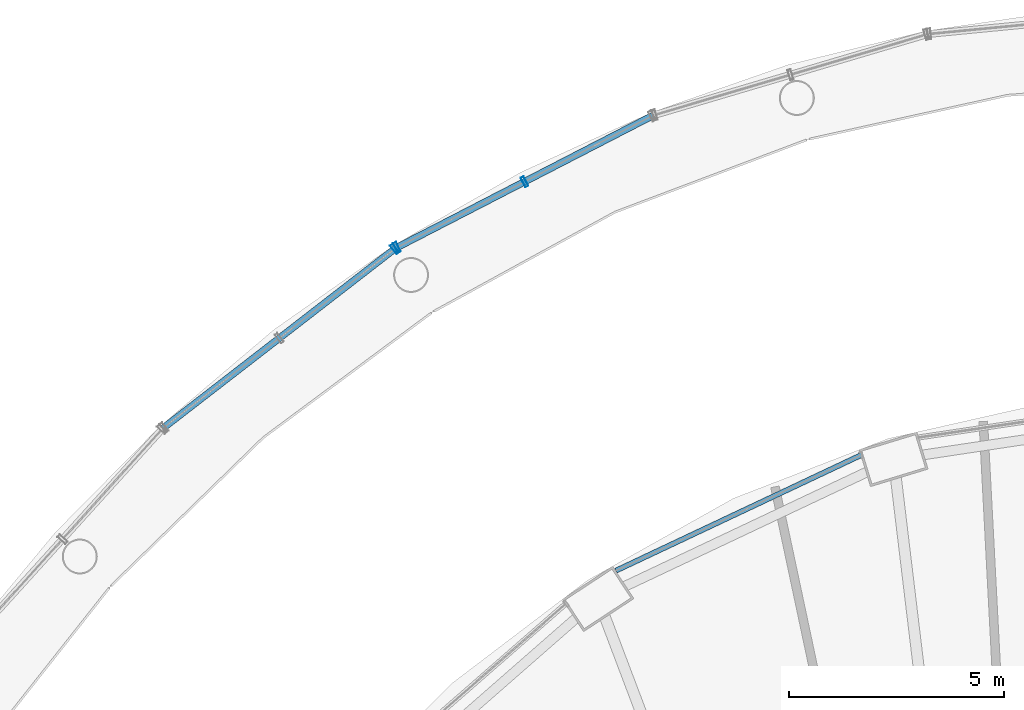
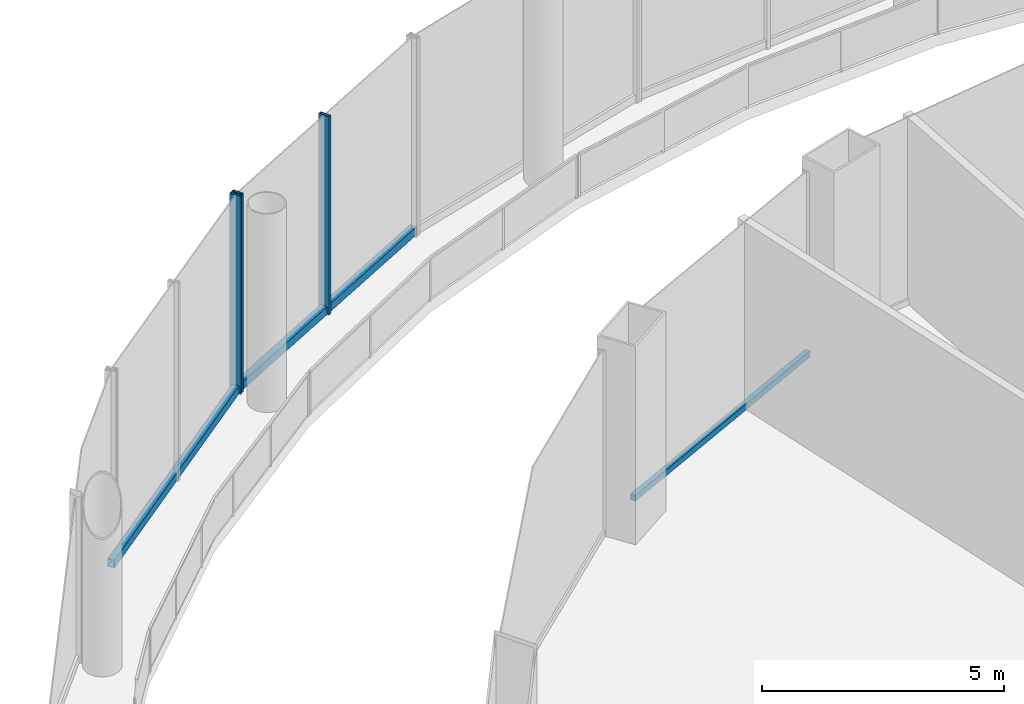
# One storey, part 31 of 47: 6 members, 3 elements without a shape of their own.
"""IFC4 building model written with IfcOpenShell, lengths in metres."""

from ifc_helpers import new_model, si_unit, direction, frame, origin, origin_2d, place, context, subcontext, project, spatial, hollow_rectangle, extrude, material, layer, layer_set, material_profile, profile_set, type_object, element, aggregate, save


model = new_model("IFC4")

# Units and contexts
model_context = context("Model", 3, precision=1e-05, world=origin(), true_north=direction((0.0, 1.0)))
body_context = subcontext(model_context, "Body", "Model", "MODEL_VIEW")
ifc_project = project(units=[si_unit("LENGTHUNIT", "METRE"), si_unit("AREAUNIT", "SQUARE_METRE"), si_unit("VOLUMEUNIT", "CUBIC_METRE"), si_unit("PLANEANGLEUNIT", "RADIAN"), si_unit("MASSUNIT", "GRAM", prefix="KILO")], contexts=[model_context])

# Site, building, storey
site_placement = place(None, origin())
site = spatial("IfcSite", under=ifc_project, at=site_placement, CompositionType="ELEMENT")
building_placement = place(site_placement, origin())
building = spatial("IfcBuilding", under=site, at=building_placement, Name="Nagisa Residences", CompositionType="ELEMENT")
storey_placement = place(building_placement, frame((0.0, 0.0, 17.0)))
storey = spatial("IfcBuildingStorey", under=building, at=storey_placement, Name="L03", CompositionType="ELEMENT", Elevation=17.0)

# Curtain wall, members
ifc_material_1 = material(Name="Stainless steel curtain wall system", Category="steel")
ifc_layer_1 = layer(ifc_material_1, 0.159912109375)
ifc_layer_set_1 = layer_set([ifc_layer_1], Name="CW3 CURTAIN WALL")
curtain_wall_type_1 = type_object("IfcCurtainWallType", Name="CW3 CURTAIN WALL", PredefinedType="NOTDEFINED", material=ifc_layer_set_1)
curtain_wall_1_placement = place(storey_placement, origin())
curtain_wall_1 = element("IfcCurtainWall", 1, at=curtain_wall_1_placement, inside=storey, type_object=curtain_wall_type_1, Name="cw:CW3:L03:11", PredefinedType="NOTDEFINED")
ifc_material_2 = material(Name="Stainless steel", Category="steel")
ifc_material_profile_1 = material_profile(ifc_material_2, hollow_rectangle(XDim=0.25, YDim=0.080078125, WallThickness=0.008056640625, at=origin_2d()), Name="CW3 MULLION 250x80")
ifc_profile_set_1 = profile_set([ifc_material_profile_1], Name="Stainless steel")
member_type_1 = type_object("IfcMemberType", Name="CW3 MULLION 250x80", PredefinedType="MULLION", material=ifc_profile_set_1)
member_1_placement = place(storey_placement, frame((-12.36181640625, 37.848876953125, 0.0), z_axis=(0.0, 0.0, 1.0), x_axis=(0.45812598783, -0.888887270285, 0.0)))
member_1 = element("IfcMember", 2, at=member_1_placement, type_object=member_type_1, Name="CW3 mullion", PredefinedType="MULLION", context=body_context, shape_type="SweptSolid", body=[
    extrude(hollow_rectangle(XDim=0.25, YDim=0.080078125, WallThickness=0.008056640625, at=origin_2d()), origin(), (0.0, 0.0, 1.0), 5.0),
])
member_2_placement = place(storey_placement, frame((-15.327880859375, 36.3203125, 0.0), z_axis=(0.0, 0.0, 1.0), x_axis=(0.45812598783, -0.888887270285, 0.0)))
member_2 = element("IfcMember", 3, at=member_2_placement, type_object=member_type_1, Name="CW3 mullion", PredefinedType="MULLION", context=body_context, shape_type="SweptSolid", body=[
    extrude(hollow_rectangle(XDim=0.25, YDim=0.080078125, WallThickness=0.008056640625, at=origin_2d()), origin(), (0.0, 0.0, 1.0), 5.0),
])

# Curtain wall, member
curtain_wall_2_placement = place(storey_placement, origin())
curtain_wall_2 = element("IfcCurtainWall", 4, at=curtain_wall_2_placement, inside=storey, type_object=curtain_wall_type_1, Name="cw:CW3:L03:12", PredefinedType="NOTDEFINED")
member_3_placement = place(storey_placement, frame((-15.382568359375, 36.285400390625, 0.0), z_axis=(0.0, 0.0, 1.0), x_axis=(0.612034757172, -0.790830864353, 0.0)))
member_3 = element("IfcMember", 5, at=member_3_placement, type_object=member_type_1, Name="CW3 mullion", PredefinedType="MULLION", context=body_context, shape_type="SweptSolid", body=[
    extrude(hollow_rectangle(XDim=0.25, YDim=0.080078125, WallThickness=0.008056640625, at=origin_2d()), origin(), (0.0, 0.0, 1.0), 5.0),
])

# Member
ifc_material_3 = material(Name="Stainless steel", Category="steel")
ifc_material_profile_2 = material_profile(ifc_material_3, hollow_rectangle(XDim=0.159912109375, YDim=0.199951171875, WallThickness=0.008056640625, at=origin_2d()), Name="CW3 TRANSOM 160x200")
ifc_profile_set_2 = profile_set([ifc_material_profile_2], Name="Stainless steel")
member_type_2 = type_object("IfcMemberType", Name="CW3 TRANSOM 160x200", PredefinedType="USERDEFINED", material=ifc_profile_set_2)
member_4_placement = place(storey_placement, frame((-9.360107421875, 39.39599609375, 0.10009765625), z_axis=(-0.888887130152, -0.458126259726, 0.0), x_axis=(0.458126259726, -0.888887130152, 0.0)))
member_4 = element("IfcMember", 6, at=member_4_placement, type_object=member_type_2, Name="CW3 transom", ObjectType="TRANSOM", PredefinedType="USERDEFINED", context=body_context, shape_type="SweptSolid", body=[
    extrude(hollow_rectangle(XDim=0.159912109375, YDim=0.199951171875, WallThickness=0.008056640625, at=origin_2d()), origin(), (0.0, 0.0, 1.0), 6.753662109375),
])

aggregate(curtain_wall_1, [member_1, member_2, member_4])

member_5_placement = place(storey_placement, frame((-15.35107421875, 36.309814453125, 0.10009765625), z_axis=(-0.790821490188, -0.612046869656, 0.0), x_axis=(0.612046869656, -0.790821490188, 0.0)))
member_5 = element("IfcMember", 7, at=member_5_placement, type_object=member_type_2, Name="CW3 transom", ObjectType="TRANSOM", PredefinedType="USERDEFINED", context=body_context, shape_type="SweptSolid", body=[
    extrude(hollow_rectangle(XDim=0.159912109375, YDim=0.199951171875, WallThickness=0.008056640625, at=origin_2d()), origin(), (0.0, 0.0, 1.0), 6.86083984375),
])

aggregate(curtain_wall_2, [member_3, member_5])

# Curtain wall, member
ifc_material_4 = material(Name="Stainless steel curtain wall system", Category="steel")
ifc_layer_2 = layer(ifc_material_4, 0.159912109375)
ifc_layer_set_2 = layer_set([ifc_layer_2], Name="CW6 CURTAIN WALL")
curtain_wall_type_2 = type_object("IfcCurtainWallType", Name="CW6 CURTAIN WALL", PredefinedType="NOTDEFINED", material=ifc_layer_set_2)
curtain_wall_3_placement = place(storey_placement, origin())
curtain_wall_3 = element("IfcCurtainWall", 8, at=curtain_wall_3_placement, inside=storey, type_object=curtain_wall_type_2, Name="cw:CW6:L03:14", PredefinedType="NOTDEFINED")
ifc_material_5 = material(Name="Stainless steel", Category="steel")
ifc_material_profile_3 = material_profile(ifc_material_5, hollow_rectangle(XDim=0.1201171875, YDim=0.14990234375, WallThickness=0.008056640625, at=origin_2d()), Name="CW6 TRANSOM 120x150")
ifc_profile_set_3 = profile_set([ifc_material_profile_3], Name="Stainless steel")
member_type_3 = type_object("IfcMemberType", Name="CW6 TRANSOM 120x150", PredefinedType="USERDEFINED", material=ifc_profile_set_3)
member_6_placement = place(storey_placement, frame((-4.5048828125, 31.504638671875, 0.074951171875), z_axis=(-0.904558144684, -0.426350281911, 0.0), x_axis=(0.426350281911, -0.904558144684, 0.0)))
member_6 = element("IfcMember", 9, at=member_6_placement, type_object=member_type_3, Name="CW6 transom", ObjectType="TRANSOM", PredefinedType="USERDEFINED", context=body_context, shape_type="SweptSolid", body=[
    extrude(hollow_rectangle(XDim=0.1201171875, YDim=0.14990234375, WallThickness=0.008056640625, at=origin_2d()), origin(), (0.0, 0.0, 1.0), 6.33203125),
])
aggregate(curtain_wall_3, [member_6])

save(model, "model.ifc")
